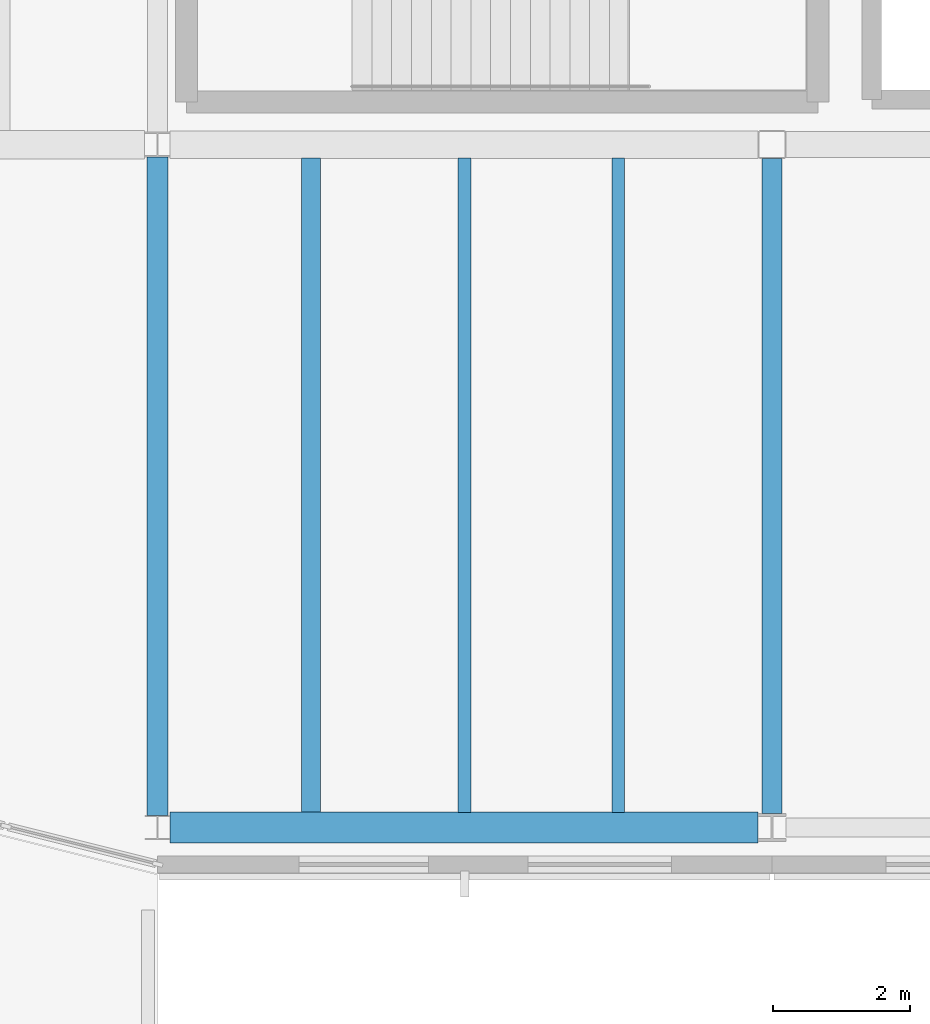
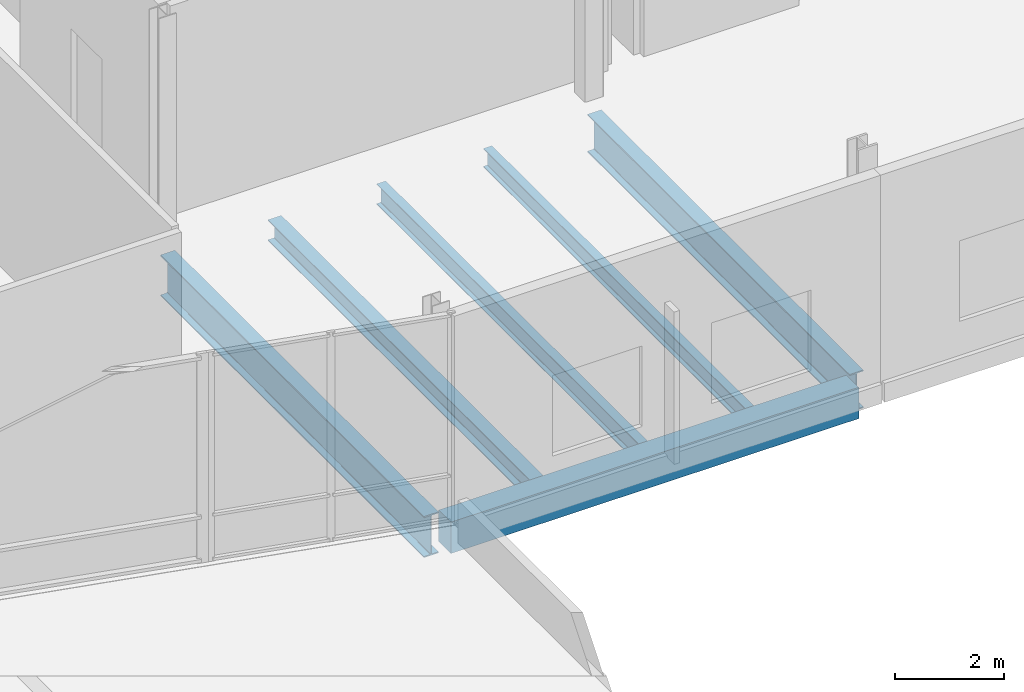
# One storey, part 18 of 81: 6 beams.
"""IFC4 building model written with IfcOpenShell, lengths in metres."""

from ifc_helpers import new_model, si_unit, direction, frame, origin, origin_2d, place, context, subcontext, project, spatial, rectangle, i_section, extrude, material, material_profile, profile_set, type_object, element, save


model = new_model("IFC4")

# Units and contexts
model_context = context("Model", 3, precision=1e-05, world=origin(), true_north=direction((0.0, 1.0)))
body_context = subcontext(model_context, "Body", "Model", "MODEL_VIEW")
ifc_project = project(units=[si_unit("LENGTHUNIT", "METRE"), si_unit("AREAUNIT", "SQUARE_METRE"), si_unit("VOLUMEUNIT", "CUBIC_METRE"), si_unit("PLANEANGLEUNIT", "RADIAN"), si_unit("MASSUNIT", "GRAM", prefix="KILO")], contexts=[model_context])

# Site, building, storey
site_placement = place(None, origin())
site = spatial("IfcSite", under=ifc_project, at=site_placement, CompositionType="ELEMENT")
building_placement = place(site_placement, origin())
building = spatial("IfcBuilding", under=site, at=building_placement, Name="Trimount Lyric Opera House", CompositionType="ELEMENT")
storey_placement = place(building_placement, frame((0.0, 0.0, 5.0)))
storey = spatial("IfcBuildingStorey", under=building, at=storey_placement, Name="L01", CompositionType="ELEMENT", Elevation=5.0)

# Beams
ifc_material_1 = material(Name="Steel ASTM A992 Grade 50", Category="steel")
ifc_material_profile_1 = material_profile(ifc_material_1, i_section(OverallWidth=0.304931640625, OverallDepth=0.9189453125, WebThickness=0.017333984375, FlangeThickness=0.02783203125, FilletRadius=0.02001953125, at=origin_2d()), Name="W36X170")
ifc_profile_set_1 = profile_set([ifc_material_profile_1], Name="Steel ASTM A992 Grade 50")
beam_type_1 = type_object("IfcBeamType", Name="B-03", PredefinedType="BEAM", material=ifc_profile_set_1)
beam_1_placement = place(storey_placement, frame((18.0, 44.177978515625, -0.739501953125), z_axis=(0.0, 1.0, 0.0), x_axis=(-1.0, 0.0, 0.0)))
element("IfcBeam", 1, at=beam_1_placement, inside=storey, type_object=beam_type_1, Name="L01 girder Y-0611", PredefinedType="BEAM", context=body_context, shape_type="SweptSolid", body=[
    extrude(i_section(OverallWidth=0.304931640625, OverallDepth=0.9189453125, WebThickness=0.017333984375, FlangeThickness=0.02783203125, FilletRadius=0.02001953125, at=origin_2d()), origin(), (0.0, 0.0, 1.0), 9.637939453125),
])
ifc_material_2 = material(Name="Steel ASTM A992 Grade 50", Category="steel")
ifc_material_profile_2 = material_profile(ifc_material_2, i_section(OverallWidth=0.2919921875, OverallDepth=0.845947265625, WebThickness=0.015380859375, FlangeThickness=0.0244140625, FilletRadius=0.01806640625, at=origin_2d()), Name="W33X141")
ifc_profile_set_2 = profile_set([ifc_material_profile_2], Name="Steel ASTM A992 Grade 50")
beam_type_2 = type_object("IfcBeamType", Name="B-05", PredefinedType="BEAM", material=ifc_profile_set_2)
beam_2_placement = place(storey_placement, frame((27.0, 44.20849609375, -0.702880859375), z_axis=(0.0, 1.0, 0.0), x_axis=(-1.0, 0.0, 0.0)))
element("IfcBeam", 2, at=beam_2_placement, inside=storey, type_object=beam_type_2, Name="L01 girder Y-0619", PredefinedType="BEAM", context=body_context, shape_type="SweptSolid", body=[
    extrude(i_section(OverallWidth=0.2919921875, OverallDepth=0.845947265625, WebThickness=0.015380859375, FlangeThickness=0.0244140625, FilletRadius=0.01806640625, at=origin_2d()), origin(), (0.0, 0.0, 1.0), 9.58837890625),
])
ifc_material_3 = material(Name="Steel ASTM A992 Grade 50", Category="steel")
ifc_material_profile_3 = material_profile(ifc_material_3, i_section(OverallWidth=0.281982421875, OverallDepth=0.467041015625, WebThickness=0.01220703125, FlangeThickness=0.01953125, FilletRadius=0.012939453125, at=origin_2d()), Name="W18X86")
ifc_profile_set_3 = profile_set([ifc_material_profile_3], Name="Steel ASTM A992 Grade 50")
beam_type_3 = type_object("IfcBeamType", Name="J-03", PredefinedType="BEAM", material=ifc_profile_set_3)
beam_3_placement = place(storey_placement, frame((20.25, 44.220947265625, -0.513427734375), z_axis=(0.0, 1.0, 0.0), x_axis=(-1.0, 0.0, 0.0)))
element("IfcBeam", 3, at=beam_3_placement, inside=storey, type_object=beam_type_3, Name="L01 composite floor joist 0599", PredefinedType="BEAM", context=body_context, shape_type="SweptSolid", body=[
    extrude(i_section(OverallWidth=0.281982421875, OverallDepth=0.467041015625, WebThickness=0.01220703125, FlangeThickness=0.01953125, FilletRadius=0.012939453125, at=origin_2d()), origin(), (0.0, 0.0, 1.0), 9.58251953125),
])
ifc_material_4 = material(Name="Steel ASTM A992 Grade 50", Category="steel")
ifc_material_profile_4 = material_profile(ifc_material_4, i_section(OverallWidth=0.19091796875, OverallDepth=0.45703125, WebThickness=0.009033203125, FlangeThickness=0.014404296875, FilletRadius=0.010986328125, at=origin_2d()), Name="W18X50")
ifc_profile_set_4 = profile_set([ifc_material_profile_4], Name="Steel ASTM A992 Grade 50")
beam_type_4 = type_object("IfcBeamType", Name="J-04", PredefinedType="BEAM", material=ifc_profile_set_4)
beam_4_placement = place(storey_placement, frame((22.5, 44.220947265625, -0.508544921875), z_axis=(0.0, 1.0, 0.0), x_axis=(-1.0, 0.0, 0.0)))
element("IfcBeam", 4, at=beam_4_placement, inside=storey, type_object=beam_type_4, Name="L01 composite floor joist 0600", PredefinedType="BEAM", context=body_context, shape_type="SweptSolid", body=[
    extrude(i_section(OverallWidth=0.19091796875, OverallDepth=0.45703125, WebThickness=0.009033203125, FlangeThickness=0.014404296875, FilletRadius=0.010986328125, at=origin_2d()), origin(), (0.0, 0.0, 1.0), 9.58251953125),
])
ifc_material_5 = material(Name="Steel ASTM A992 Grade 50", Category="steel")
ifc_material_profile_5 = material_profile(ifc_material_5, i_section(OverallWidth=0.180908203125, OverallDepth=0.4169921875, WebThickness=0.010986328125, FlangeThickness=0.018310546875, FilletRadius=0.010986328125, at=origin_2d()), Name="W16X57")
ifc_profile_set_5 = profile_set([ifc_material_profile_5], Name="Steel ASTM A992 Grade 50")
beam_type_5 = type_object("IfcBeamType", Name="J-05", PredefinedType="BEAM", material=ifc_profile_set_5)
beam_5_placement = place(storey_placement, frame((24.75, 44.220947265625, -0.488525390625), z_axis=(0.0, 1.0, 0.0), x_axis=(-1.0, 0.0, 0.0)))
element("IfcBeam", 5, at=beam_5_placement, inside=storey, type_object=beam_type_5, Name="L01 composite floor joist 0601", PredefinedType="BEAM", context=body_context, shape_type="SweptSolid", body=[
    extrude(i_section(OverallWidth=0.180908203125, OverallDepth=0.4169921875, WebThickness=0.010986328125, FlangeThickness=0.018310546875, FilletRadius=0.010986328125, at=origin_2d()), origin(), (0.0, 0.0, 1.0), 9.58251953125),
])
ifc_material_6 = material(Name="Concrete C40/50", Category="concrete")
ifc_material_profile_6 = material_profile(ifc_material_6, rectangle(XDim=0.449951171875, YDim=0.699951171875, at=origin_2d()), Name="RC450X700")
ifc_profile_set_6 = profile_set([ifc_material_profile_6], Name="Concrete C40/50")
beam_type_6 = type_object("IfcBeamType", Name="SP-02", PredefinedType="SPANDREL", material=ifc_profile_set_6)
beam_6_placement = place(storey_placement, frame((18.18408203125, 44.0, -0.6298828125), z_axis=(1.0, 0.0, 0.0), x_axis=(0.0, 1.0, 0.0)))
element("IfcBeam", 6, at=beam_6_placement, inside=storey, type_object=beam_type_6, Name="L01 girder X-0475", PredefinedType="SPANDREL", context=body_context, shape_type="SweptSolid", body=[
    extrude(rectangle(XDim=0.449951171875, YDim=0.699951171875, at=origin_2d()), origin(), (0.0, 0.0, 1.0), 8.613037109375),
])

save(model, "model.ifc")
